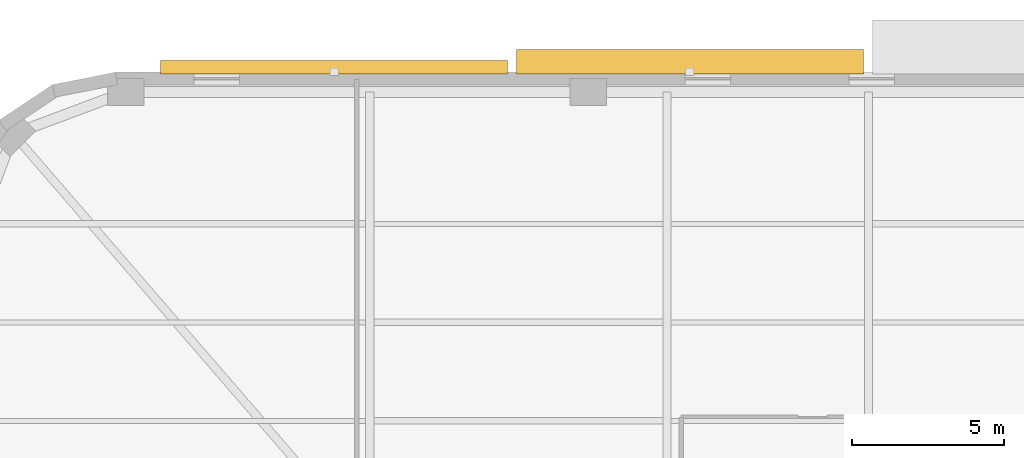
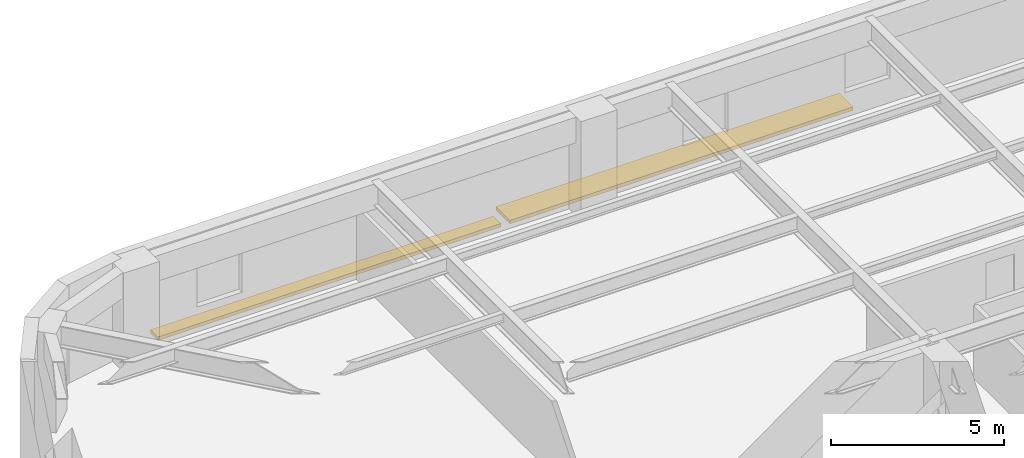
# One storey, part 12 of 14: 2 shading devices.
"""IFC4 building model written with IfcOpenShell, lengths in metres."""

from ifc_helpers import new_model, si_unit, direction, frame, origin, origin_2d, place, context, subcontext, project, spatial, rectangle, extrude, material, type_object, element, save


model = new_model("IFC4")

# Units and contexts
model_context = context("Model", 3, precision=1e-05, world=origin(), true_north=direction((0.0, 1.0)))
body_context = subcontext(model_context, "Body", "Model", "MODEL_VIEW")
ifc_project = project(units=[si_unit("LENGTHUNIT", "METRE"), si_unit("AREAUNIT", "SQUARE_METRE"), si_unit("VOLUMEUNIT", "CUBIC_METRE"), si_unit("PLANEANGLEUNIT", "RADIAN"), si_unit("MASSUNIT", "GRAM", prefix="KILO")], contexts=[model_context])

# Site, building, storey
site_placement = place(None, origin())
site = spatial("IfcSite", under=ifc_project, at=site_placement, CompositionType="ELEMENT")
building_placement = place(site_placement, origin())
building = spatial("IfcBuilding", under=site, at=building_placement, Name="Kolvaren Arena Tower", CompositionType="ELEMENT")
storey_placement = place(building_placement, frame((0.0, 0.0, 57.0)))
storey = spatial("IfcBuildingStorey", under=building, at=storey_placement, Name="L11", CompositionType="ELEMENT", Elevation=57.0)

# Shading devices
ifc_material = material(Name="Architectural precast GFRC and anodised aluminium sunshade", Category="concrete")
shading_device_type = type_object("IfcShadingDeviceType", Name="SHAD-SINE-A", PredefinedType="USERDEFINED", material=ifc_material)
shading_device_1_placement = place(storey_placement, frame((13.3701171875, 49.665771484375, -0.14013671875), z_axis=(0.0, 0.0, 1.0), x_axis=(1.0, 0.0, 0.0)))
element("IfcShadingDevice", 1, at=shading_device_1_placement, inside=storey, type_object=shading_device_type, Name="Sinusoidal Slab-Edge Sunshade Louvre (L11)", ObjectType="LOUVRE", PredefinedType="USERDEFINED", context=body_context, shape_type="SweptSolid", body=[
    extrude(rectangle(XDim=11.43994140625, YDim=0.431640625, at=origin_2d()), origin(), (0.0, 0.0, 1.0), 0.1201171875),
])
shading_device_2_placement = place(storey_placement, frame((25.110107421875, 49.85400390625, -0.14013671875), z_axis=(0.0, 0.0, 1.0), x_axis=(1.0, 0.0, 0.0)))
element("IfcShadingDevice", 2, at=shading_device_2_placement, inside=storey, type_object=shading_device_type, Name="Sinusoidal Slab-Edge Sunshade Louvre (L11)", ObjectType="LOUVRE", PredefinedType="USERDEFINED", context=body_context, shape_type="SweptSolid", body=[
    extrude(rectangle(XDim=11.43994140625, YDim=0.80810546875, at=origin_2d()), origin(), (0.0, 0.0, 1.0), 0.1201171875),
])

save(model, "model.ifc")
